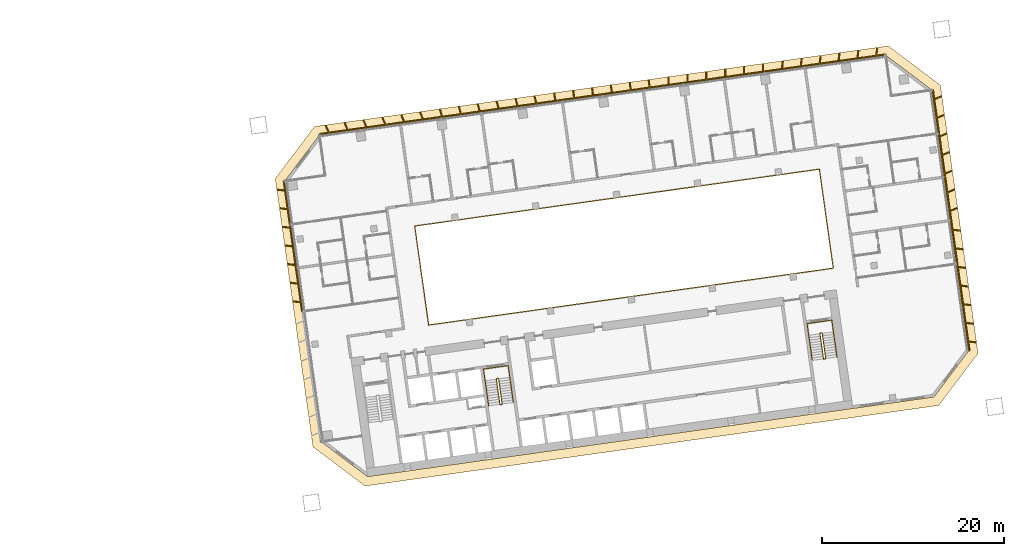
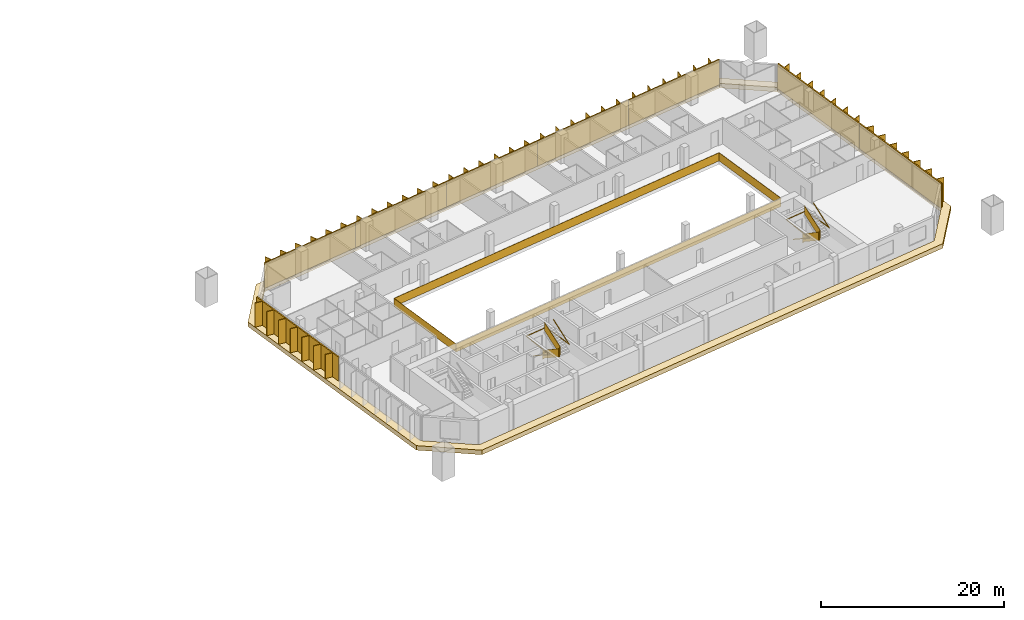
# One storey, part 25 of 25: 8 shading devices, 5 railings, 1 covering.
"""IFC4 building model written with IfcOpenShell, lengths in metres."""

from ifc_helpers import new_model, si_unit, direction, frame, origin, origin_2d, place, context, subcontext, project, spatial, polyline, rectangle, outline, extrude, material, layer, layer_set, type_object, element, save


model = new_model("IFC4")

# Units and contexts
model_context = context("Model", 3, precision=1e-05, world=origin(), true_north=direction((0.0, 1.0)))
body_context = subcontext(model_context, "Body", "Model", "MODEL_VIEW")
ifc_project = project(units=[si_unit("LENGTHUNIT", "METRE"), si_unit("AREAUNIT", "SQUARE_METRE"), si_unit("VOLUMEUNIT", "CUBIC_METRE"), si_unit("PLANEANGLEUNIT", "RADIAN"), si_unit("MASSUNIT", "GRAM", prefix="KILO")], contexts=[model_context])

# Site, building, storey
site_placement = place(None, origin())
site = spatial("IfcSite", under=ifc_project, at=site_placement, CompositionType="ELEMENT")
building_placement = place(site_placement, origin())
building = spatial("IfcBuilding", under=site, at=building_placement, Name="Mirante Cascada Hotel Towers", CompositionType="ELEMENT")
storey_placement = place(building_placement, frame((0.0, 0.0, 73.7)))
storey = spatial("IfcBuildingStorey", under=building, at=storey_placement, Name="L15", CompositionType="ELEMENT", Elevation=73.7)

# Railing
ifc_material_1 = material(Name="Toughened glass with stainless steel handrail", Category="steel")
railing_type_1 = type_object("IfcRailingType", Name="Atrium guard 1100 glass balustrade", PredefinedType="GUARDRAIL", material=ifc_material_1)
railing_1_placement = place(storey_placement, frame((43.8418, -3.4881, 0.0)))
element("IfcRailing", 1, at=railing_1_placement, inside=storey, type_object=railing_type_1, Name="GUARD 2-L15-1", PredefinedType="GUARDRAIL", context=body_context, shape_type="SweptSolid", body=[
    extrude(rectangle(XDim=0.048, YDim=0.048, at=origin_2d()), frame((0.0, 0.0, 1.076), z_axis=(0.9902681, 0.1391732, 0.0), x_axis=(-0.1391732, 0.9902681, 0.0)), (0.0, 0.0, 1.0), 45.0),
    extrude(rectangle(XDim=0.02, YDim=1.052, at=origin_2d()), frame((0.0, 0.0, 0.526), z_axis=(0.9902681, 0.1391732, 0.0), x_axis=(-0.1391732, 0.9902681, 0.0)), (0.0, 0.0, 1.0), 45.0),
    extrude(rectangle(XDim=0.048, YDim=0.048, at=origin_2d()), frame((44.5621, 6.2628, 1.076), z_axis=(-0.1391721, 0.9902682, 0.0), x_axis=(-0.9902682, -0.1391721, 0.0)), (0.0, 0.0, 1.0), 11.0001),
    extrude(rectangle(XDim=0.02, YDim=1.052, at=origin_2d()), frame((44.5621, 6.2628, 0.526), z_axis=(-0.1391721, 0.9902682, 0.0), x_axis=(-0.9902682, -0.1391721, 0.0)), (0.0, 0.0, 1.0), 11.0001),
    extrude(rectangle(XDim=0.048, YDim=0.048, at=origin_2d()), frame((43.0312, 17.1558, 1.076), z_axis=(-0.9902681, -0.1391732, 0.0), x_axis=(0.1391732, -0.9902681, 0.0)), (0.0, 0.0, 1.0), 45.0),
    extrude(rectangle(XDim=0.02, YDim=1.052, at=origin_2d()), frame((43.0312, 17.1558, 0.526), z_axis=(-0.9902681, -0.1391732, 0.0), x_axis=(0.1391732, -0.9902681, 0.0)), (0.0, 0.0, 1.0), 45.0),
    extrude(rectangle(XDim=0.048, YDim=0.048, at=origin_2d()), frame((-1.5309, 10.893, 1.076), z_axis=(0.1391721, -0.9902682, 0.0), x_axis=(0.9902682, 0.1391721, 0.0)), (0.0, 0.0, 1.0), 11.0001),
    extrude(rectangle(XDim=0.02, YDim=1.052, at=origin_2d()), frame((-1.5309, 10.893, 0.526), z_axis=(0.1391721, -0.9902682, 0.0), x_axis=(0.9902682, 0.1391721, 0.0)), (0.0, 0.0, 1.0), 11.0001),
])

# Covering
ifc_material_2 = material(Name="Precast concrete C40/50 white", Category="concrete")
ifc_layer = layer(ifc_material_2, 0.6)
ifc_layer_set = layer_set([ifc_layer], Name="Precast concrete SUNSHADE band 1000x600")
covering_type = type_object("IfcCoveringType", Name="Precast concrete SUNSHADE band 1000x600", PredefinedType="CLADDING", material=ifc_layer_set)
covering_placement = place(storey_placement, frame((0.0, 0.0, -0.45)))
element("IfcCovering", 2, at=covering_placement, inside=storey, type_object=covering_type, Name="Precast concrete SUNSHADE band T2 L15", PredefinedType="CLADDING", context=body_context, shape_type="SweptSolid", body=[
    extrude(outline(polyline([(26.9341, 12.6299), (31.2626, 18.374), (94.4698, 27.2572), (100.2139, 22.9287), (104.3652, -6.6094), (100.0367, -12.3535), (36.8295, -21.2367), (31.0854, -16.9082), (26.9341, 12.6299)]), holes=[polyline([(103.3173, -6.3384), (99.2813, 22.3794), (94.1988, 26.2093), (31.8119, 17.4414), (27.982, 12.3589), (32.018, -16.3589), (37.1005, -20.1888), (99.4874, -11.4209), (103.3173, -6.3384)])]), origin(), (0.0, 0.0, 1.0), 0.6),
])

# Railings
ifc_material_3 = material(Name="Painted steel", Category="steel")
railing_type_2 = type_object("IfcRailingType", Name="Stair guard 1100 steel balustrade", PredefinedType="GUARDRAIL", material=ifc_material_3)
railing_2_placement = place(storey_placement, frame((51.4864, -9.3815, 0.0)))
element("IfcRailing", 3, at=railing_2_placement, inside=storey, type_object=railing_type_2, Name="L15 ST2-B stair guard 1", PredefinedType="GUARDRAIL", context=body_context, shape_type="SweptSolid", body=[
    extrude(rectangle(XDim=0.048, YDim=0.048, at=origin_2d()), frame((0.0, 0.0, 1.076), z_axis=(-0.9902408, -0.1393672, 0.0), x_axis=(0.1393672, -0.9902408, 0.0)), (0.0, 0.0, 1.0), 0.15),
    extrude(rectangle(XDim=0.02, YDim=1.052, at=origin_2d()), frame((0.0, 0.0, 0.526), z_axis=(-0.9902408, -0.1393672, 0.0), x_axis=(0.1393672, -0.9902408, 0.0)), (0.0, 0.0, 1.0), 0.15),
    extrude(rectangle(XDim=0.048, YDim=0.048, at=origin_2d()), frame((-0.1485, -0.0209, 1.076), z_axis=(-0.6020331, -0.7984711, 0.0), x_axis=(0.7984711, -0.6020331, 0.0)), (0.0, 0.9253398, 0.3791387), 0.1866),
    extrude(rectangle(XDim=0.02, YDim=1.052, at=origin_2d()), frame((-0.1485, -0.0209, 0.526), z_axis=(-0.6020331, -0.7984711, 0.0), x_axis=(0.7984711, -0.6020331, 0.0)), (0.0, 0.9253398, 0.3791387), 0.1866),
    extrude(rectangle(XDim=0.048, YDim=0.048, at=origin_2d()), frame((-0.1911, -0.0774, 1.2487), z_axis=(0.139181, -0.990267, 0.0), x_axis=(0.990267, 0.139181, 0.0)), (0.0, 0.5250347, 0.8510808), 3.2899),
    extrude(rectangle(XDim=0.02, YDim=1.052, at=origin_2d()), frame((-0.1911, -0.0774, 0.6987), z_axis=(0.139181, -0.990267, 0.0), x_axis=(0.990267, 0.139181, 0.0)), (0.0, 0.5250347, 0.8510808), 3.2899),
    extrude(rectangle(XDim=0.048, YDim=0.048, at=origin_2d()), frame((0.1986, -2.8501, 2.976), z_axis=(0.9944441, -0.1052656, 0.0), x_axis=(0.1052656, 0.9944441, 0.0)), (0.0, 0.0, 1.0), 0.2061),
    extrude(rectangle(XDim=0.02, YDim=1.052, at=origin_2d()), frame((0.1986, -2.8501, 2.426), z_axis=(0.9944441, -0.1052656, 0.0), x_axis=(0.1052656, 0.9944441, 0.0)), (0.0, 0.0, 1.0), 0.2061),
    extrude(rectangle(XDim=0.048, YDim=0.048, at=origin_2d()), frame((0.4036, -2.8718, 2.976), z_axis=(-0.9902408, -0.1393672, 0.0), x_axis=(0.1393672, -0.9902408, 0.0)), (0.0, 0.0, 1.0), 0.15),
    extrude(rectangle(XDim=0.02, YDim=1.052, at=origin_2d()), frame((0.4036, -2.8718, 2.426), z_axis=(-0.9902408, -0.1393672, 0.0), x_axis=(0.1393672, -0.9902408, 0.0)), (0.0, 0.0, 1.0), 0.15),
    extrude(rectangle(XDim=0.048, YDim=0.048, at=origin_2d()), frame((0.2551, -2.8927, 2.976), z_axis=(0.9268624, 0.3754011, 0.0), x_axis=(-0.3754011, 0.9268624, 0.0)), (0.0, 0.6421217, 0.7666028), 0.269),
    extrude(rectangle(XDim=0.02, YDim=1.052, at=origin_2d()), frame((0.2551, -2.8927, 2.426), z_axis=(0.9268624, 0.3754011, 0.0), x_axis=(-0.3754011, 0.9268624, 0.0)), (0.0, 0.6421217, 0.7666028), 0.269),
    extrude(rectangle(XDim=0.048, YDim=0.048, at=origin_2d()), frame((0.4462, -2.8153, 3.1487), z_axis=(-0.139181, 0.990267, 0.0), x_axis=(-0.990267, -0.139181, 0.0)), (0.0, 0.5250347, 0.8510808), 3.2899),
    extrude(rectangle(XDim=0.02, YDim=1.052, at=origin_2d()), frame((0.4462, -2.8153, 2.5987), z_axis=(-0.139181, 0.990267, 0.0), x_axis=(-0.990267, -0.139181, 0.0)), (0.0, 0.5250347, 0.8510808), 3.2899),
])
railing_3_placement = place(storey_placement, frame((87.1361, -4.3713, 0.0)))
element("IfcRailing", 4, at=railing_3_placement, inside=storey, type_object=railing_type_2, Name="L15 ST2-C stair guard 1", PredefinedType="GUARDRAIL", context=body_context, shape_type="SweptSolid", body=[
    extrude(rectangle(XDim=0.048, YDim=0.048, at=origin_2d()), frame((0.0, 0.0, 1.076), z_axis=(-0.9902537, -0.1392753, 0.0), x_axis=(0.1392753, -0.9902537, 0.0)), (0.0, 0.0, 1.0), 0.1501),
    extrude(rectangle(XDim=0.02, YDim=1.052, at=origin_2d()), frame((0.0, 0.0, 0.526), z_axis=(-0.9902537, -0.1392753, 0.0), x_axis=(0.1392753, -0.9902537, 0.0)), (0.0, 0.0, 1.0), 0.1501),
    extrude(rectangle(XDim=0.048, YDim=0.048, at=origin_2d()), frame((-0.1486, -0.0209, 1.076), z_axis=(-0.601811, -0.7986386, 0.0), x_axis=(0.7986386, -0.601811, 0.0)), (0.0, 0.925603, 0.3784959), 0.1866),
    extrude(rectangle(XDim=0.02, YDim=1.052, at=origin_2d()), frame((-0.1486, -0.0209, 0.526), z_axis=(-0.601811, -0.7986386, 0.0), x_axis=(0.7986386, -0.601811, 0.0)), (0.0, 0.925603, 0.3784959), 0.1866),
    extrude(rectangle(XDim=0.048, YDim=0.048, at=origin_2d()), frame((-0.1911, -0.0773, 1.2487), z_axis=(0.139176, -0.9902677, 0.0), x_axis=(0.9902677, 0.139176, 0.0)), (0.0, 0.5250212, 0.8510891), 3.29),
    extrude(rectangle(XDim=0.02, YDim=1.052, at=origin_2d()), frame((-0.1911, -0.0773, 0.6987), z_axis=(0.139176, -0.9902677, 0.0), x_axis=(0.9902677, 0.139176, 0.0)), (0.0, 0.5250212, 0.8510891), 3.29),
    extrude(rectangle(XDim=0.048, YDim=0.048, at=origin_2d()), frame((0.1986, -2.8501, 2.976), z_axis=(0.9944441, -0.1052656, 0.0), x_axis=(0.1052656, 0.9944441, 0.0)), (0.0, 0.0, 1.0), 0.2061),
    extrude(rectangle(XDim=0.02, YDim=1.052, at=origin_2d()), frame((0.1986, -2.8501, 2.426), z_axis=(0.9944441, -0.1052656, 0.0), x_axis=(0.1052656, 0.9944441, 0.0)), (0.0, 0.0, 1.0), 0.2061),
    extrude(rectangle(XDim=0.048, YDim=0.048, at=origin_2d()), frame((0.4036, -2.8718, 2.976), z_axis=(-0.9903454, -0.1386217, 0.0), x_axis=(0.1386217, -0.9903454, 0.0)), (0.0, 0.0, 1.0), 0.15),
    extrude(rectangle(XDim=0.02, YDim=1.052, at=origin_2d()), frame((0.4036, -2.8718, 2.426), z_axis=(-0.9903454, -0.1386217, 0.0), x_axis=(0.1386217, -0.9903454, 0.0)), (0.0, 0.0, 1.0), 0.15),
    extrude(rectangle(XDim=0.048, YDim=0.048, at=origin_2d()), frame((0.255, -2.8926, 2.976), z_axis=(0.9270311, 0.3749843, 0.0), x_axis=(-0.3749843, 0.9270311, 0.0)), (0.0, 0.6421903, 0.7665452), 0.2689),
    extrude(rectangle(XDim=0.02, YDim=1.052, at=origin_2d()), frame((0.255, -2.8926, 2.426), z_axis=(0.9270311, 0.3749843, 0.0), x_axis=(-0.3749843, 0.9270311, 0.0)), (0.0, 0.6421903, 0.7665452), 0.2689),
    extrude(rectangle(XDim=0.048, YDim=0.048, at=origin_2d()), frame((0.4461, -2.8153, 3.1487), z_axis=(-0.139176, 0.9902677, 0.0), x_axis=(-0.9902677, -0.139176, 0.0)), (0.0, 0.5250212, 0.8510891), 3.29),
    extrude(rectangle(XDim=0.02, YDim=1.052, at=origin_2d()), frame((0.4461, -2.8153, 2.5987), z_axis=(-0.139176, 0.9902677, 0.0), x_axis=(-0.9902677, -0.139176, 0.0)), (0.0, 0.5250212, 0.8510891), 3.29),
])
ifc_material_4 = material(Name="Painted steel", Category="steel")
railing_type_3 = type_object("IfcRailingType", Name="Stair handrail 900 steel tube", PredefinedType="HANDRAIL", material=ifc_material_4)
railing_4_placement = place(storey_placement, frame((50.0575, -9.6328, 0.1727)))
element("IfcRailing", 5, at=railing_4_placement, inside=storey, type_object=railing_type_3, Name="L15 ST2-B stair handrail 1", PredefinedType="HANDRAIL", context=body_context, shape_type="SweptSolid", body=[
    extrude(rectangle(XDim=0.048, YDim=0.048, at=origin_2d()), frame((0.0, 0.0, 0.876), z_axis=(0.139176, -0.9902677, 0.0), x_axis=(0.9902677, 0.139176, 0.0)), (0.0, 0.5250212, 0.8510891), 3.29),
    extrude(rectangle(XDim=0.048, YDim=0.048, at=origin_2d()), frame((0.3897, -2.7728, 2.6033), z_axis=(-0.1391707, 0.9902684, 0.0), x_axis=(-0.9902684, -0.1391707, 0.0)), (0.0, 0.0420846, 0.999114), 4.1036),
    extrude(rectangle(XDim=0.048, YDim=0.048, at=origin_2d()), frame((-0.1809, 1.2873, 2.776), z_axis=(0.9902641, 0.1392013, 0.0), x_axis=(-0.1392013, 0.9902641, 0.0)), (0.0, 0.0, 1.0), 2.75),
    extrude(rectangle(XDim=0.048, YDim=0.048, at=origin_2d()), frame((2.5423, 1.6701, 2.776), z_axis=(0.1391707, -0.9902684, 0.0), x_axis=(0.9902684, 0.1391707, 0.0)), (0.0, 0.0, 1.0), 4.1),
    extrude(rectangle(XDim=0.048, YDim=0.048, at=origin_2d()), frame((3.1129, -2.39, 2.776), z_axis=(-0.139181, 0.990267, 0.0), x_axis=(-0.990267, -0.139181, 0.0)), (0.0, 0.5250347, 0.8510808), 3.2899),
])
railing_5_placement = place(storey_placement, frame((85.7071, -4.6226, 0.1727)))
element("IfcRailing", 6, at=railing_5_placement, inside=storey, type_object=railing_type_3, Name="L15 ST2-C stair handrail 1", PredefinedType="HANDRAIL", context=body_context, shape_type="SweptSolid", body=[
    extrude(rectangle(XDim=0.048, YDim=0.048, at=origin_2d()), frame((0.0, 0.0, 0.876), z_axis=(0.139181, -0.990267, 0.0), x_axis=(0.990267, 0.139181, 0.0)), (0.0, 0.5250347, 0.8510808), 3.2899),
    extrude(rectangle(XDim=0.048, YDim=0.048, at=origin_2d()), frame((0.3897, -2.7727, 2.6033), z_axis=(-0.1391707, 0.9902684, 0.0), x_axis=(-0.9902684, -0.1391707, 0.0)), (0.0, 0.0420846, 0.999114), 4.1036),
    extrude(rectangle(XDim=0.048, YDim=0.048, at=origin_2d()), frame((-0.1809, 1.2874, 2.776), z_axis=(0.9902691, 0.1391657, 0.0), x_axis=(-0.1391657, 0.9902691, 0.0)), (0.0, 0.0, 1.0), 2.75),
    extrude(rectangle(XDim=0.048, YDim=0.048, at=origin_2d()), frame((2.5423, 1.6701, 2.776), z_axis=(0.1391947, -0.990265, 0.0), x_axis=(0.990265, 0.1391947, 0.0)), (0.0, 0.0, 1.0), 4.1),
    extrude(rectangle(XDim=0.048, YDim=0.048, at=origin_2d()), frame((3.113, -2.39, 2.776), z_axis=(-0.139181, 0.990267, 0.0), x_axis=(-0.990267, -0.139181, 0.0)), (0.0, 0.5250347, 0.8510808), 3.2899),
])

# Shading devices
ifc_material_5 = material(Name="White precast concrete C50/60 fin", Category="concrete")
shading_device_type = type_object("IfcShadingDeviceType", Name="Vertical fin set 4500x900", PredefinedType="USERDEFINED", material=ifc_material_5)
shading_device_1_placement = place(storey_placement, origin())
element("IfcShadingDevice", 7, at=shading_device_1_placement, inside=storey, type_object=shading_device_type, Name="FIN T2 L15 front 1", ObjectType="FIN", PredefinedType="USERDEFINED", context=body_context, shape_type="SweptSolid", body=[
    extrude(outline(polyline([(82.8967, 25.5893), (82.7946, 24.758), (84.7922, 25.0387), (84.8968, 25.8913), (84.9762, 25.8815), (84.8742, 25.0503), (86.8717, 25.331), (86.9764, 26.1835), (87.0558, 26.1738), (86.9537, 25.3425), (88.9513, 25.6233), (89.056, 26.4758), (89.1354, 26.4661), (89.0333, 25.6348), (91.0308, 25.9155), (91.1355, 26.7681), (91.2149, 26.7583), (91.1129, 25.9271), (93.1104, 26.2078), (93.2151, 27.0603), (93.2945, 27.0506), (93.1924, 26.2193), (94.1779, 26.3578), (94.1988, 26.2093), (81.7214, 24.4557), (81.7006, 24.6042), (82.7126, 24.7465), (82.8173, 25.599), (82.8967, 25.5893)])), origin(), (0.0, 0.0, 1.0), 3.35),
])
shading_device_2_placement = place(storey_placement, origin())
element("IfcShadingDevice", 8, at=shading_device_2_placement, inside=storey, type_object=shading_device_type, Name="FIN T2 L15 front 2", ObjectType="FIN", PredefinedType="USERDEFINED", context=body_context, shape_type="SweptSolid", body=[
    extrude(outline(polyline([(70.3021, 23.8476), (70.3094, 23.0033), (72.3091, 23.2844), (72.3016, 24.1392), (72.3816, 24.1399), (72.389, 23.2956), (74.3886, 23.5766), (74.3812, 24.4314), (74.4612, 24.4321), (74.4686, 23.5878), (76.4682, 23.8689), (76.4608, 24.7237), (76.5407, 24.7244), (76.5481, 23.8801), (78.5478, 24.1611), (78.5403, 25.0159), (78.6203, 25.0166), (78.6277, 24.1724), (80.6273, 24.4534), (80.6199, 25.3082), (80.6999, 25.3089), (80.7072, 24.4646), (81.7006, 24.6042), (81.7214, 24.4557), (69.2441, 22.7021), (69.2232, 22.8507), (70.2295, 22.9921), (70.2221, 23.8469), (70.3021, 23.8476)])), origin(), (0.0, 0.0, 1.0), 3.35),
])
shading_device_3_placement = place(storey_placement, origin())
element("IfcShadingDevice", 9, at=shading_device_3_placement, inside=storey, type_object=shading_device_type, Name="FIN T2 L15 front 3", ObjectType="FIN", PredefinedType="USERDEFINED", context=body_context, shape_type="SweptSolid", body=[
    extrude(outline(polyline([(57.7069, 22.0905), (57.8252, 21.2488), (59.8255, 21.5299), (59.7072, 22.3716), (59.7865, 22.3828), (59.9048, 21.541), (61.9051, 21.8222), (61.7868, 22.6639), (61.866, 22.675), (61.9843, 21.8333), (63.9847, 22.1144), (63.8664, 22.9562), (63.9456, 22.9673), (64.0639, 22.1256), (66.0642, 22.4067), (65.9459, 23.2484), (66.0251, 23.2596), (66.1434, 22.4178), (68.1438, 22.699), (68.0255, 23.5407), (68.1047, 23.5518), (68.223, 22.7101), (69.2232, 22.8507), (69.2441, 22.7021), (56.7667, 20.9485), (56.7458, 21.0971), (57.746, 21.2376), (57.6277, 22.0794), (57.7069, 22.0905)])), origin(), (0.0, 0.0, 1.0), 3.35),
])
shading_device_4_placement = place(storey_placement, origin())
element("IfcShadingDevice", 10, at=shading_device_4_placement, inside=storey, type_object=shading_device_type, Name="FIN T2 L15 front 4", ObjectType="FIN", PredefinedType="USERDEFINED", context=body_context, shape_type="SweptSolid", body=[
    extrude(outline(polyline([(45.1132, 20.3181), (45.3416, 19.4943), (47.3413, 19.7754), (47.1157, 20.589), (47.1928, 20.6103), (47.4212, 19.7866), (49.4209, 20.0676), (49.1952, 20.8812), (49.2723, 20.9026), (49.5008, 20.0789), (51.5004, 20.3599), (51.2748, 21.1735), (51.3519, 21.1949), (51.5803, 20.3711), (53.58, 20.6521), (53.3544, 21.4657), (53.4314, 21.4871), (53.6599, 20.6634), (55.6595, 20.9444), (55.4339, 21.758), (55.511, 21.7794), (55.7394, 20.9556), (56.7458, 21.0971), (56.7667, 20.9485), (44.2893, 19.195), (44.2684, 19.3435), (45.2617, 19.4831), (45.0361, 20.2967), (45.1132, 20.3181)])), origin(), (0.0, 0.0, 1.0), 3.35),
])
shading_device_5_placement = place(storey_placement, origin())
element("IfcShadingDevice", 11, at=shading_device_5_placement, inside=storey, type_object=shading_device_type, Name="FIN T2 L15 front 5", ObjectType="FIN", PredefinedType="USERDEFINED", context=body_context, shape_type="SweptSolid", body=[
    extrude(outline(polyline([(32.5229, 18.5306), (32.8586, 17.7399), (34.8561, 18.0207), (34.5289, 18.7916), (34.6025, 18.8229), (34.9381, 18.0322), (36.9357, 18.3129), (36.6084, 19.0839), (36.6821, 19.1151), (37.0177, 18.3245), (39.0152, 18.6052), (38.688, 19.3761), (38.7616, 19.4074), (39.0973, 18.6167), (41.0948, 18.8975), (40.7676, 19.6684), (40.8412, 19.6997), (41.1768, 18.909), (43.1744, 19.1897), (42.8471, 19.9607), (42.9208, 19.9919), (43.2564, 19.2013), (44.2684, 19.3435), (44.2893, 19.195), (31.8119, 17.4414), (31.791, 17.5899), (32.7765, 17.7284), (32.4493, 18.4994), (32.5229, 18.5306)])), origin(), (0.0, 0.0, 1.0), 3.35),
])
shading_device_6_placement = place(storey_placement, origin())
element("IfcShadingDevice", 12, at=shading_device_6_placement, inside=storey, type_object=shading_device_type, Name="FIN T2 L15 inner 1", ObjectType="FIN", PredefinedType="USERDEFINED", context=body_context, shape_type="SweptSolid", body=[
    extrude(outline(polyline([(28.8684, -0.8389), (29.6997, -0.941), (29.4229, 1.0283), (28.5704, 1.133), (28.5801, 1.2124), (29.4114, 1.1103), (29.1346, 3.0796), (28.2821, 3.1842), (28.2918, 3.2636), (29.1231, 3.1616), (28.8464, 5.1308), (27.9938, 5.2355), (28.0036, 5.3149), (28.8348, 5.2128), (28.5581, 7.1821), (27.7055, 7.2868), (27.7153, 7.3662), (28.5465, 7.2641), (28.2698, 9.2334), (27.4172, 9.338), (27.427, 9.4174), (28.2583, 9.3154), (27.9815, 11.2846), (27.1289, 11.3893), (27.1387, 11.4687), (27.97, 11.3667), (27.8334, 12.338), (27.982, 12.3589), (30.0, -2.0), (29.8515, -2.0209), (29.7112, -1.023), (28.8587, -0.9183), (28.8684, -0.8389)])), origin(), (0.0, 0.0, 1.0), 3.35),
])
shading_device_7_placement = place(storey_placement, origin())
element("IfcShadingDevice", 13, at=shading_device_7_placement, inside=storey, type_object=shading_device_type, Name="FIN T2 L15 outer 1", ObjectType="FIN", PredefinedType="USERDEFINED", context=body_context, shape_type="SweptSolid", body=[
    extrude(outline(polyline([(104.1606, -5.4483), (103.3293, -5.3462), (103.4659, -6.3175), (103.3173, -6.3384), (101.2993, 8.0205), (101.4478, 8.0413), (101.5881, 7.0434), (102.4406, 6.9388), (102.4309, 6.8594), (101.5996, 6.9614), (101.8764, 4.9922), (102.7289, 4.8875), (102.7192, 4.8081), (101.8879, 4.9102), (102.1647, 2.9409), (103.0172, 2.8362), (103.0075, 2.7568), (102.1762, 2.8589), (102.4529, 0.8896), (103.3055, 0.785), (103.2957, 0.7056), (102.4645, 0.8076), (102.7412, -1.1616), (103.5938, -1.2663), (103.584, -1.3457), (102.7528, -1.2436), (103.0295, -3.2129), (103.8821, -3.3176), (103.8723, -3.397), (103.041, -3.2949), (103.3178, -5.2642), (104.1704, -5.3689), (104.1606, -5.4483)])), origin(), (0.0, 0.0, 1.0), 3.35),
])
shading_device_8_placement = place(storey_placement, origin())
element("IfcShadingDevice", 14, at=shading_device_8_placement, inside=storey, type_object=shading_device_type, Name="FIN T2 L15 outer 2", ObjectType="FIN", PredefinedType="USERDEFINED", context=body_context, shape_type="SweptSolid", body=[
    extrude(outline(polyline([(102.0983, 9.3749), (101.3076, 9.0392), (101.4478, 8.0413), (101.2993, 8.0205), (99.2813, 22.3794), (99.4298, 22.4002), (99.5663, 21.4289), (100.3373, 21.7561), (100.3685, 21.6825), (99.5779, 21.3469), (99.8546, 19.3776), (100.6256, 19.7048), (100.6568, 19.6312), (99.8662, 19.2956), (100.1429, 17.3263), (100.9139, 17.6536), (100.9451, 17.5799), (100.1544, 17.2443), (100.4312, 15.2751), (101.2021, 15.6023), (101.2334, 15.5287), (100.4427, 15.193), (100.7195, 13.2238), (101.4904, 13.551), (101.5217, 13.4774), (100.731, 13.1418), (101.0078, 11.1725), (101.7787, 11.4998), (101.81, 11.4261), (101.0193, 11.0905), (101.2961, 9.1212), (102.067, 9.4485), (102.0983, 9.3749)])), origin(), (0.0, 0.0, 1.0), 3.35),
])

save(model, "model.ifc")
